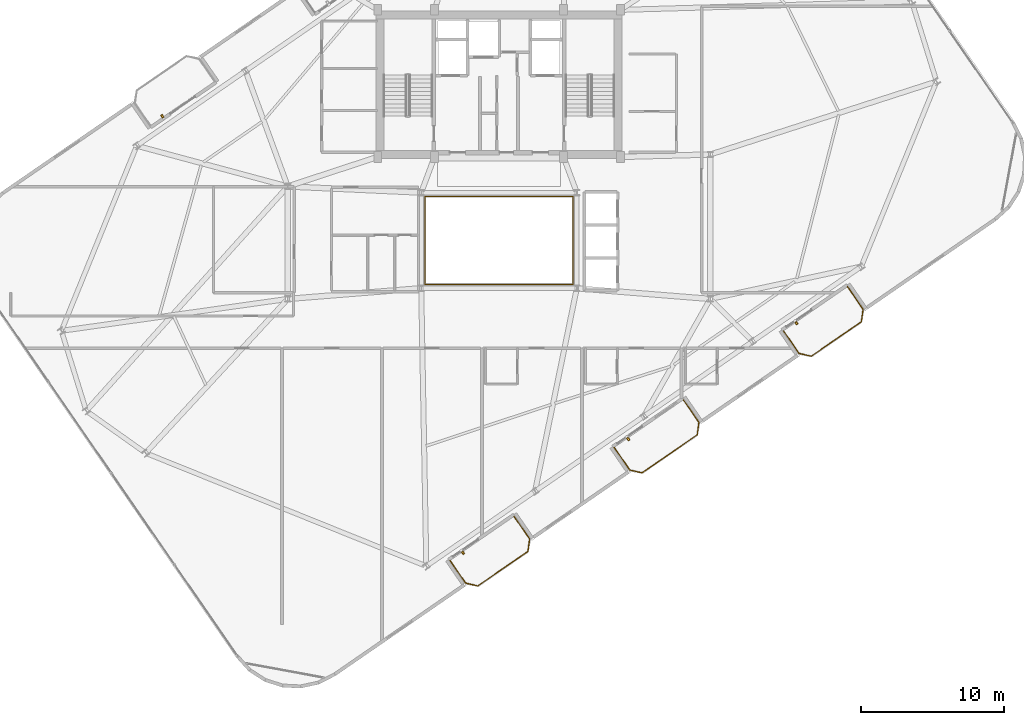
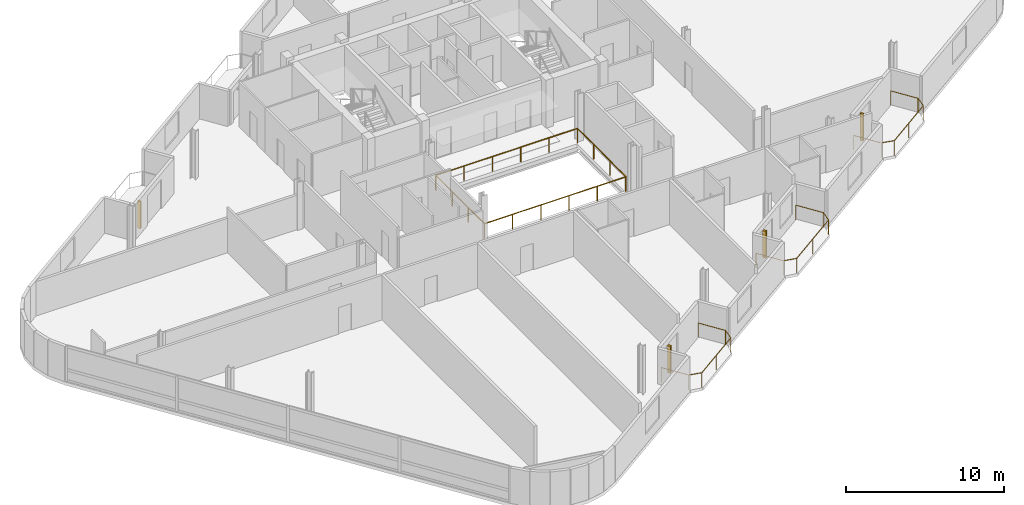
# One storey, part 21 of 23: 5 railings, 4 shading devices.
"""IFC4 building model written with IfcOpenShell, lengths in metres."""

from ifc_helpers import new_model, si_unit, direction, frame, origin, origin_2d, place, context, subcontext, project, spatial, rectangle, circle, extrude, source, transform, mapped, material, type_object, element, save


model = new_model("IFC4")

# Units and contexts
model_context = context("Model", 3, precision=1e-05, world=origin(), true_north=direction((0.0, 1.0)))
body_context = subcontext(model_context, "Body", "Model", "MODEL_VIEW")
ifc_project = project(units=[si_unit("LENGTHUNIT", "METRE"), si_unit("AREAUNIT", "SQUARE_METRE"), si_unit("VOLUMEUNIT", "CUBIC_METRE"), si_unit("PLANEANGLEUNIT", "RADIAN"), si_unit("MASSUNIT", "GRAM", prefix="KILO")], contexts=[model_context])

# Site, building, storey
site_placement = place(None, origin())
site = spatial("IfcSite", under=ifc_project, at=site_placement, CompositionType="ELEMENT")
building_placement = place(site_placement, origin())
building = spatial("IfcBuilding", under=site, at=building_placement, Name="Varnelok Gate Tower", CompositionType="ELEMENT")
storey_placement = place(building_placement, frame((0.0, 0.0, 258.199951171875)))
storey = spatial("IfcBuildingStorey", under=building, at=storey_placement, Name="L66", CompositionType="ELEMENT", Elevation=258.199951171875)

# Railings
ifc_material_1 = material(Name="Tempered Laminated Balustrade Glass", Category="glass")
railing_type_1 = type_object("IfcRailingType", Name="RL-ATR-GUARD1150", PredefinedType="GUARDRAIL", material=ifc_material_1)
railing_1_placement = place(storey_placement, frame((34.02001953125, 25.929931640625, 0.0)))
element("IfcRailing", 1, at=railing_1_placement, inside=storey, type_object=railing_type_1, Name="L66 Internal Atrium South-West Guardrail", PredefinedType="GUARDRAIL", context=body_context, shape_type="SweptSolid", body=[
    extrude(circle(Radius=0.02392578125, at=origin_2d()), frame((0.0, 0.0, 1.1259765625), z_axis=(0.0, -1.0, 0.0), x_axis=(1.0, 0.0, 0.0)), (0.0, 0.0, 1.0), 6.10986328125),
    extrude(circle(Radius=0.02392578125, at=origin_2d()), frame((0.0, -6.10986328125, 1.1259765625), z_axis=(1.0, 0.0, 0.0), x_axis=(0.0, 1.0, 0.0)), (0.0, 0.0, 1.0), 10.31005859375),
    extrude(circle(Radius=0.02099609375, at=origin_2d()), origin(), (0.0, 0.0, 1.0), 1.101806640625),
    extrude(circle(Radius=0.02099609375, at=origin_2d()), frame((0.0, -2.03662109375, 0.0)), (0.0, 0.0, 1.0), 1.101806640625),
    extrude(circle(Radius=0.02099609375, at=origin_2d()), frame((0.0, -4.0732421875, 0.0)), (0.0, 0.0, 1.0), 1.101806640625),
    extrude(circle(Radius=0.02099609375, at=origin_2d()), frame((0.0, -6.10986328125, 0.0)), (0.0, 0.0, 1.0), 1.101806640625),
    extrude(circle(Radius=0.02099609375, at=origin_2d()), frame((2.06201171875, -6.10986328125, 0.0)), (0.0, 0.0, 1.0), 1.101806640625),
    extrude(circle(Radius=0.02099609375, at=origin_2d()), frame((4.1240234375, -6.10986328125, 0.0)), (0.0, 0.0, 1.0), 1.101806640625),
    extrude(circle(Radius=0.02099609375, at=origin_2d()), frame((6.18603515625, -6.10986328125, 0.0)), (0.0, 0.0, 1.0), 1.101806640625),
    extrude(circle(Radius=0.02099609375, at=origin_2d()), frame((8.248046875, -6.10986328125, 0.0)), (0.0, 0.0, 1.0), 1.101806640625),
    extrude(circle(Radius=0.02099609375, at=origin_2d()), frame((10.31005859375, -6.10986328125, 0.0)), (0.0, 0.0, 1.0), 1.101806640625),
])
railing_2_placement = place(storey_placement, frame((44.3798828125, 19.820068359375, 0.0)))
element("IfcRailing", 2, at=railing_2_placement, inside=storey, type_object=railing_type_1, Name="L66 Internal Atrium North-East Guardrail", PredefinedType="GUARDRAIL", context=body_context, shape_type="SweptSolid", body=[
    extrude(circle(Radius=0.02392578125, at=origin_2d()), frame((0.0, 0.0, 1.1259765625), z_axis=(0.0, 1.0, 0.0), x_axis=(-1.0, 0.0, 0.0)), (0.0, 0.0, 1.0), 6.159912109375),
    extrude(circle(Radius=0.02392578125, at=origin_2d()), frame((0.0, 6.159912109375, 1.1259765625), z_axis=(-1.0, 0.0, 0.0), x_axis=(0.0, -1.0, 0.0)), (0.0, 0.0, 1.0), 10.35986328125),
    extrude(circle(Radius=0.02099609375, at=origin_2d()), origin(), (0.0, 0.0, 1.0), 1.101806640625),
    extrude(circle(Radius=0.02099609375, at=origin_2d()), frame((0.0, 2.05322265625, 0.0)), (0.0, 0.0, 1.0), 1.101806640625),
    extrude(circle(Radius=0.02099609375, at=origin_2d()), frame((0.0, 4.106689453125, 0.0)), (0.0, 0.0, 1.0), 1.101806640625),
    extrude(circle(Radius=0.02099609375, at=origin_2d()), frame((0.0, 6.159912109375, 0.0)), (0.0, 0.0, 1.0), 1.101806640625),
    extrude(circle(Radius=0.02099609375, at=origin_2d()), frame((-2.072021484375, 6.159912109375, 0.0)), (0.0, 0.0, 1.0), 1.101806640625),
    extrude(circle(Radius=0.02099609375, at=origin_2d()), frame((-4.14404296875, 6.159912109375, 0.0)), (0.0, 0.0, 1.0), 1.101806640625),
    extrude(circle(Radius=0.02099609375, at=origin_2d()), frame((-6.2158203125, 6.159912109375, 0.0)), (0.0, 0.0, 1.0), 1.101806640625),
    extrude(circle(Radius=0.02099609375, at=origin_2d()), frame((-8.287841796875, 6.159912109375, 0.0)), (0.0, 0.0, 1.0), 1.101806640625),
    extrude(circle(Radius=0.02099609375, at=origin_2d()), frame((-10.35986328125, 6.159912109375, 0.0)), (0.0, 0.0, 1.0), 1.101806640625),
])
ifc_material_2 = material(Name="Low-E Laminated Double Glazing IGU", Category="glass")
railing_type_2 = type_object("IfcRailingType", Name="RL-BALC-1150", PredefinedType="BALUSTRADE", material=ifc_material_2)
railing_3_placement = place(storey_placement, frame((35.77099609375, 0.473876953125, 0.0)))
element("IfcRailing", 3, at=railing_3_placement, inside=storey, type_object=railing_type_2, Name="L66 South Terrace Balustrade 1", PredefinedType="BALUSTRADE", context=body_context, shape_type="SweptSolid", body=[
    extrude(circle(Radius=0.02392578125, at=origin_2d()), frame((0.0, 0.0, 1.1259765625), z_axis=(0.567224752248, -0.823563039747, 0.0), x_axis=(0.823563039747, 0.567224752248, 0.0)), (0.0, 0.0, 1.0), 1.920166015625),
    extrude(circle(Radius=0.02392578125, at=origin_2d()), frame((1.089111328125, -1.581298828125, 1.1259765625), z_axis=(0.973526462254, -0.228574336467, 0.0), x_axis=(0.228574336467, 0.973526462254, 0.0)), (0.0, 0.0, 1.0), 0.8779296875),
    extrude(circle(Radius=0.02392578125, at=origin_2d()), frame((1.94384765625, -1.781982421875, 1.1259765625), z_axis=(0.823512353028, 0.5672983381, 0.0), x_axis=(-0.5672983381, 0.823512353028, 0.0)), (0.0, 0.0, 1.0), 4.26708984375),
    extrude(circle(Radius=0.02392578125, at=origin_2d()), frame((5.457763671875, 0.638671875, 1.1259765625), z_axis=(0.133475040405, 0.991052175008, 0.0), x_axis=(-0.991052175008, 0.133475040405, 0.0)), (0.0, 0.0, 1.0), 0.8779296875),
    extrude(circle(Radius=0.02392578125, at=origin_2d()), frame((5.574951171875, 1.5087890625, 1.1259765625), z_axis=(-0.567284155424, 0.82352212296, 0.0), x_axis=(-0.82352212296, -0.567284155424, 0.0)), (0.0, 0.0, 1.0), 1.919921875),
    extrude(circle(Radius=0.02099609375, at=origin_2d()), origin(), (0.0, 0.0, 1.0), 1.101806640625),
    extrude(circle(Radius=0.02099609375, at=origin_2d()), frame((1.089111328125, -1.581298828125, 0.0)), (0.0, 0.0, 1.0), 1.101806640625),
    extrude(circle(Radius=0.02099609375, at=origin_2d()), frame((1.94384765625, -1.781982421875, 0.0)), (0.0, 0.0, 1.0), 1.101806640625),
    extrude(circle(Radius=0.02099609375, at=origin_2d()), frame((3.70068359375, -0.57177734375, 0.0)), (0.0, 0.0, 1.0), 1.101806640625),
    extrude(circle(Radius=0.02099609375, at=origin_2d()), frame((5.457763671875, 0.638671875, 0.0)), (0.0, 0.0, 1.0), 1.101806640625),
    extrude(circle(Radius=0.02099609375, at=origin_2d()), frame((5.574951171875, 1.5087890625, 0.0)), (0.0, 0.0, 1.0), 1.101806640625),
    extrude(circle(Radius=0.02099609375, at=origin_2d()), frame((4.48583984375, 3.08984375, 0.0)), (0.0, 0.0, 1.0), 1.101806640625),
])
railing_4_placement = place(storey_placement, frame((47.273193359375, 8.39697265625, 0.0)))
element("IfcRailing", 4, at=railing_4_placement, inside=storey, type_object=railing_type_2, Name="L66 South Terrace Balustrade 2", PredefinedType="BALUSTRADE", context=body_context, shape_type="SweptSolid", body=[
    extrude(circle(Radius=0.02392578125, at=origin_2d()), frame((0.0, 0.0, 1.1259765625), z_axis=(0.567224752248, -0.823563039747, 0.0), x_axis=(0.823563039747, 0.567224752248, 0.0)), (0.0, 0.0, 1.0), 1.920166015625),
    extrude(circle(Radius=0.02392578125, at=origin_2d()), frame((1.089111328125, -1.581298828125, 1.1259765625), z_axis=(0.973526462254, -0.228574336467, 0.0), x_axis=(0.228574336467, 0.973526462254, 0.0)), (0.0, 0.0, 1.0), 0.8779296875),
    extrude(circle(Radius=0.02392578125, at=origin_2d()), frame((1.94384765625, -1.781982421875, 1.1259765625), z_axis=(0.823523239622, 0.567282534371, 0.0), x_axis=(-0.567282534371, 0.823523239622, 0.0)), (0.0, 0.0, 1.0), 4.699951171875),
    extrude(circle(Radius=0.02392578125, at=origin_2d()), frame((5.814453125, 0.88427734375, 1.1259765625), z_axis=(0.133511834152, 0.991047218926, 0.0), x_axis=(-0.991047218926, 0.133511834152, 0.0)), (0.0, 0.0, 1.0), 0.877685546875),
    extrude(circle(Radius=0.02392578125, at=origin_2d()), frame((5.931640625, 1.754150390625, 1.1259765625), z_axis=(-0.567224752248, 0.823563039747, 0.0), x_axis=(-0.823563039747, -0.567224752248, 0.0)), (0.0, 0.0, 1.0), 1.920166015625),
    extrude(circle(Radius=0.02099609375, at=origin_2d()), origin(), (0.0, 0.0, 1.0), 1.101806640625),
    extrude(circle(Radius=0.02099609375, at=origin_2d()), frame((1.089111328125, -1.581298828125, 0.0)), (0.0, 0.0, 1.0), 1.101806640625),
    extrude(circle(Radius=0.02099609375, at=origin_2d()), frame((1.94384765625, -1.781982421875, 0.0)), (0.0, 0.0, 1.0), 1.101806640625),
    extrude(circle(Radius=0.02099609375, at=origin_2d()), frame((3.879150390625, -0.44873046875, 0.0)), (0.0, 0.0, 1.0), 1.101806640625),
    extrude(circle(Radius=0.02099609375, at=origin_2d()), frame((5.814453125, 0.88427734375, 0.0)), (0.0, 0.0, 1.0), 1.101806640625),
    extrude(circle(Radius=0.02099609375, at=origin_2d()), frame((5.931640625, 1.754150390625, 0.0)), (0.0, 0.0, 1.0), 1.101806640625),
    extrude(circle(Radius=0.02099609375, at=origin_2d()), frame((4.842529296875, 3.33544921875, 0.0)), (0.0, 0.0, 1.0), 1.101806640625),
])
railing_5_placement = place(storey_placement, frame((59.132080078125, 16.5654296875, 0.0)))
element("IfcRailing", 5, at=railing_5_placement, inside=storey, type_object=railing_type_2, Name="L66 South Terrace Balustrade 3", PredefinedType="BALUSTRADE", context=body_context, shape_type="SweptSolid", body=[
    extrude(circle(Radius=0.02392578125, at=origin_2d()), frame((0.0, 0.0, 1.1259765625), z_axis=(0.567284155424, -0.82352212296, 0.0), x_axis=(0.82352212296, 0.567284155424, 0.0)), (0.0, 0.0, 1.0), 1.919921875),
    extrude(circle(Radius=0.02392578125, at=origin_2d()), frame((1.089111328125, -1.5810546875, 1.1259765625), z_axis=(0.973526462254, -0.228574336467, 0.0), x_axis=(0.228574336467, 0.973526462254, 0.0)), (0.0, 0.0, 1.0), 0.8779296875),
    extrude(circle(Radius=0.02392578125, at=origin_2d()), frame((1.94384765625, -1.78173828125, 1.1259765625), z_axis=(0.823512353028, 0.5672983381, 0.0), x_axis=(-0.5672983381, 0.823512353028, 0.0)), (0.0, 0.0, 1.0), 4.26708984375),
    extrude(circle(Radius=0.02392578125, at=origin_2d()), frame((5.457763671875, 0.638916015625, 1.1259765625), z_axis=(0.133511834152, 0.991047218926, 0.0), x_axis=(-0.991047218926, 0.133511834152, 0.0)), (0.0, 0.0, 1.0), 0.877685546875),
    extrude(circle(Radius=0.02392578125, at=origin_2d()), frame((5.574951171875, 1.5087890625, 1.1259765625), z_axis=(-0.567224752248, 0.823563039747, 0.0), x_axis=(-0.823563039747, -0.567224752248, 0.0)), (0.0, 0.0, 1.0), 1.920166015625),
    extrude(circle(Radius=0.02099609375, at=origin_2d()), origin(), (0.0, 0.0, 1.0), 1.101806640625),
    extrude(circle(Radius=0.02099609375, at=origin_2d()), frame((1.089111328125, -1.5810546875, 0.0)), (0.0, 0.0, 1.0), 1.101806640625),
    extrude(circle(Radius=0.02099609375, at=origin_2d()), frame((1.94384765625, -1.78173828125, 0.0)), (0.0, 0.0, 1.0), 1.101806640625),
    extrude(circle(Radius=0.02099609375, at=origin_2d()), frame((3.70068359375, -0.5712890625, 0.0)), (0.0, 0.0, 1.0), 1.101806640625),
    extrude(circle(Radius=0.02099609375, at=origin_2d()), frame((5.457763671875, 0.638916015625, 0.0)), (0.0, 0.0, 1.0), 1.101806640625),
    extrude(circle(Radius=0.02099609375, at=origin_2d()), frame((5.574951171875, 1.5087890625, 0.0)), (0.0, 0.0, 1.0), 1.101806640625),
    extrude(circle(Radius=0.02099609375, at=origin_2d()), frame((4.48583984375, 3.090087890625, 0.0)), (0.0, 0.0, 1.0), 1.101806640625),
])

# Shading devices
ifc_material_3 = material(Name="Glazed Architectural Terracotta Ceramic", Category="masonry")
shading_device_type = type_object("IfcShadingDeviceType", Name="SHD-TERRA-BAGUETTE", PredefinedType="USERDEFINED", material=ifc_material_3)
shared_shape = source(origin(), body_context, "Body", "SweptSolid", [
    extrude(rectangle(XDim=0.139892578125, YDim=0.219970703125, at=origin_2d()), origin(), (0.0, 0.0, 1.0), 2.10009765625),
])
for number, where, z_axis, x_axis, name in (
    (6, (36.67822265625, 1.013671875, 0.10009765625), (0.0, 0.0, 1.0), (0.823532597628, 0.567268949127, 0.0), "L66 Terracotta Ceramic Baguette Sunscreen 1.1"),
    (7, (48.251708984375, 8.98583984375, 0.10009765625), (0.0, 0.0, 1.0), (0.823532597628, 0.567268949127, 0.0), "L66 Terracotta Ceramic Baguette Sunscreen 2.1"),
    (8, (60.039306640625, 17.10546875, 0.10009765625), (0.0, 0.0, 1.0), (0.823532597628, 0.567268949127, 0.0), "L66 Terracotta Ceramic Baguette Sunscreen 3.1"),
    (9, (15.60986328125, 31.599609375, 0.10009765625), (0.0, 0.0, 1.0), (0.823532597628, 0.567268949127, 0.0), "L66 Terracotta Ceramic Baguette Sunscreen 4.1"),
):
    element("IfcShadingDevice", number, at=place(storey_placement, frame(where, z_axis=z_axis, x_axis=x_axis)), inside=storey, type_object=shading_device_type, Name=name, ObjectType="BAGUETTE", PredefinedType="USERDEFINED", context=body_context, shape_type="MappedRepresentation", body=[
        mapped(shared_shape, transform((0.0, 0.0, 0.0), scale=1.0)),
    ])

save(model, "model.ifc")
